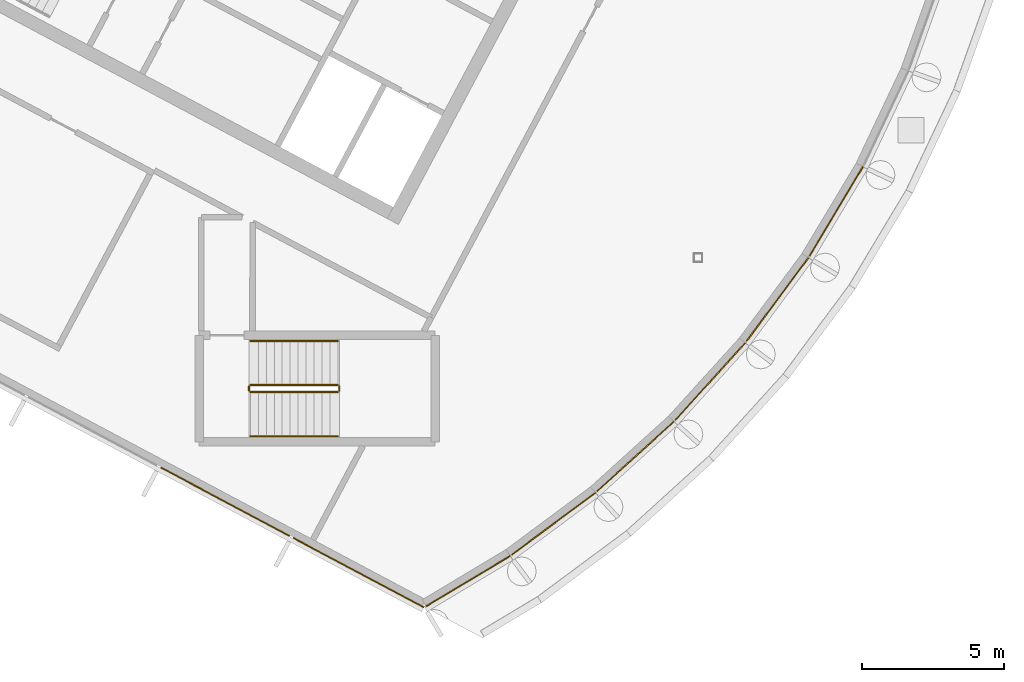
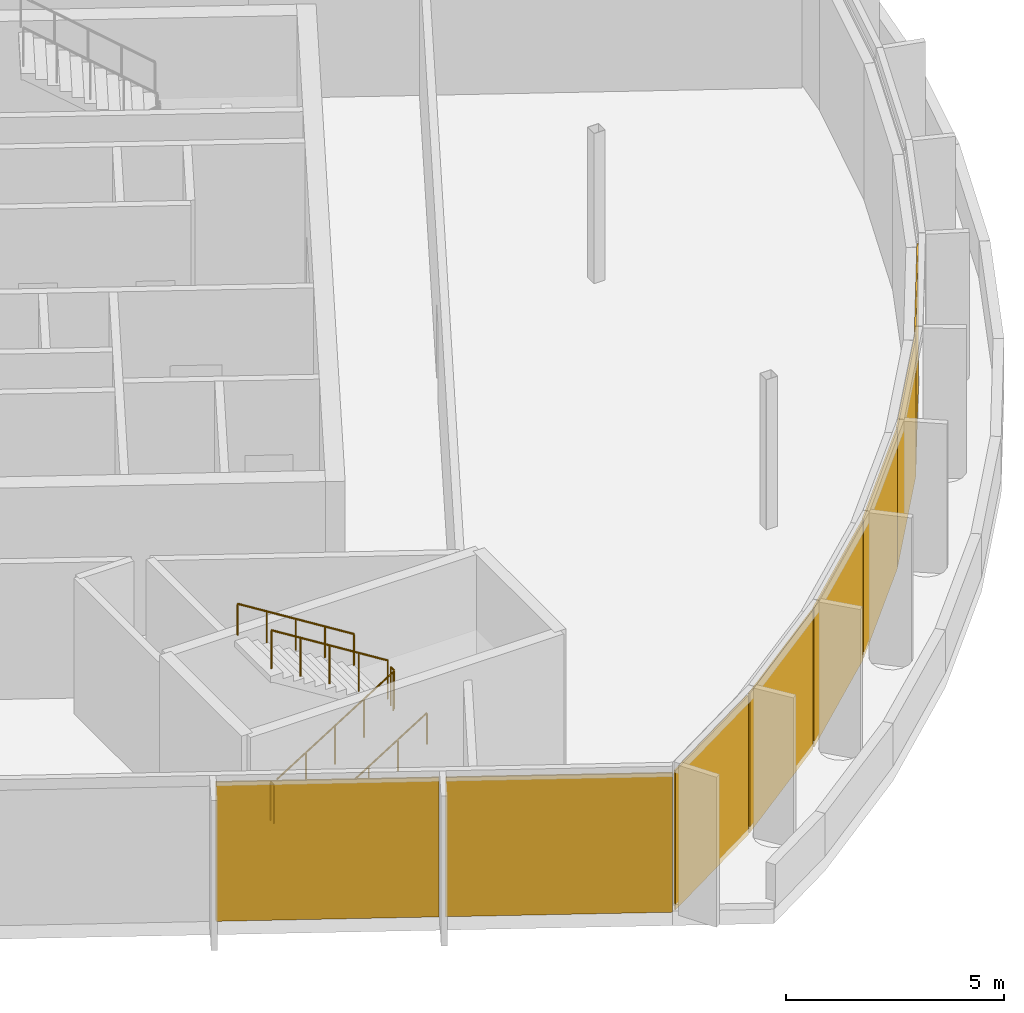
# One storey, part 12 of 16: 8 coverings, 6 railings, 7 elements without a shape of their own.
"""IFC4 building model written with IfcOpenShell, lengths in metres."""

from ifc_helpers import new_model, si_unit, direction, frame, origin, origin_2d, place, context, subcontext, project, spatial, polyline, rectangle, outline, extrude, material, layer, layer_set, type_object, element, aggregate, save


model = new_model("IFC4")

# Units and contexts
model_context = context("Model", 3, precision=1e-05, world=origin(), true_north=direction((0.0, 1.0)))
body_context = subcontext(model_context, "Body", "Model", "MODEL_VIEW")
ifc_project = project(units=[si_unit("LENGTHUNIT", "METRE"), si_unit("AREAUNIT", "SQUARE_METRE"), si_unit("VOLUMEUNIT", "CUBIC_METRE"), si_unit("PLANEANGLEUNIT", "RADIAN"), si_unit("MASSUNIT", "GRAM", prefix="KILO")], contexts=[model_context])

# Site, building, storey
site_placement = place(None, origin())
site = spatial("IfcSite", under=ifc_project, at=site_placement, CompositionType="ELEMENT")
building_placement = place(site_placement, origin())
building = spatial("IfcBuilding", under=site, at=building_placement, Name="Cormorant Relay Tower", CompositionType="ELEMENT")
storey_placement = place(building_placement, frame((0.0, 0.0, 345.0)))
storey = spatial("IfcBuildingStorey", under=building, at=storey_placement, Name="C5", CompositionType="ELEMENT", Elevation=345.0)

# Curtain wall, coverings
ifc_material_1 = material(Name="Aluminium 6063-T6 anodised bronze", Category="aluminium")
ifc_layer_1 = layer(ifc_material_1, 0.199951171875)
ifc_layer_set_1 = layer_set([ifc_layer_1], Name="CW3 crown screen wall")
curtain_wall_type = type_object("IfcCurtainWallType", Name="CW3 crown screen wall", PredefinedType="NOTDEFINED", material=ifc_layer_set_1)
curtain_wall_1_placement = place(storey_placement, origin())
curtain_wall_1 = element("IfcCurtainWall", 1, at=curtain_wall_1_placement, inside=storey, type_object=curtain_wall_type, Name="CW3 curtain wall 1", PredefinedType="NOTDEFINED")
ifc_material_2 = material(Name="Perforated bronze anodised aluminium screen", Category="aluminium")
ifc_layer_2 = layer(ifc_material_2, 0.0400390625)
ifc_layer_set_2 = layer_set([ifc_layer_2], Name="CW3 perforated bronze screen panel 40")
covering_type = type_object("IfcCoveringType", Name="CW3 perforated bronze screen panel 40", PredefinedType="CLADDING", material=ifc_layer_set_2)
covering_1_placement = place(storey_placement, frame((-28.636474609375, -8.580322265625, 0.0), z_axis=(0.0, 0.0, 1.0), x_axis=(0.882947592859, -0.469471562786, 0.0)))
covering_1 = element("IfcCovering", 2, at=covering_1_placement, type_object=covering_type, Name="CW3 panel X04", PredefinedType="CLADDING", context=body_context, shape_type="SweptSolid", body=[
    extrude(rectangle(XDim=5.12646484375, YDim=0.0400390625, at=origin_2d()), origin(), (0.0, 0.0, 1.0), 3.89990234375),
])
covering_2_placement = place(storey_placement, frame((-23.944580078125, -11.0751953125, 0.0), z_axis=(0.0, 0.0, 1.0), x_axis=(0.882947592859, -0.469471562786, 0.0)))
covering_2 = element("IfcCovering", 3, at=covering_2_placement, type_object=covering_type, Name="CW3 panel X05", PredefinedType="CLADDING", context=body_context, shape_type="SweptSolid", body=[
    extrude(rectangle(XDim=5.201416015625, YDim=0.0400390625, at=origin_2d()), origin(), (0.0, 0.0, 1.0), 3.89990234375),
])
aggregate(curtain_wall_1, [covering_1, covering_2])

# Curtain wall, covering
curtain_wall_2_placement = place(storey_placement, origin())
curtain_wall_2 = element("IfcCurtainWall", 4, at=curtain_wall_2_placement, inside=storey, type_object=curtain_wall_type, Name="CW3 curtain wall 2", PredefinedType="NOTDEFINED")
covering_3_placement = place(storey_placement, frame((-20.08740234375, -11.371826171875, 0.0), z_axis=(0.0, 0.0, 1.0), x_axis=(0.85772861, 0.514102744193, 0.0)))
covering_3 = element("IfcCovering", 5, at=covering_3_placement, type_object=covering_type, Name="CW3 panel X00", PredefinedType="CLADDING", context=body_context, shape_type="SweptSolid", body=[
    extrude(rectangle(XDim=3.443359375, YDim=0.0400390625, at=origin_2d()), origin(), (0.0, 0.0, 1.0), 3.89990234375),
])
aggregate(curtain_wall_2, [covering_3])

curtain_wall_3_placement = place(storey_placement, origin())
curtain_wall_3 = element("IfcCurtainWall", 6, at=curtain_wall_3_placement, inside=storey, type_object=curtain_wall_type, Name="CW3 curtain wall 3", PredefinedType="NOTDEFINED")
covering_4_placement = place(storey_placement, frame((-17.081298828125, -9.3525390625, 0.0), z_axis=(0.0, 0.0, 1.0), x_axis=(0.803207531481, 0.595699304492, 0.0)))
covering_4 = element("IfcCovering", 7, at=covering_4_placement, type_object=covering_type, Name="CW3 panel X00", PredefinedType="CLADDING", context=body_context, shape_type="SweptSolid", body=[
    extrude(rectangle(XDim=3.654052734375, YDim=0.0400390625, at=origin_2d()), origin(), (0.0, 0.0, 1.0), 3.89990234375),
])
aggregate(curtain_wall_3, [covering_4])

curtain_wall_4_placement = place(storey_placement, origin())
curtain_wall_4 = element("IfcCurtainWall", 8, at=curtain_wall_4_placement, inside=storey, type_object=curtain_wall_type, Name="CW3 curtain wall 4", PredefinedType="NOTDEFINED")
covering_5_placement = place(storey_placement, frame((-14.202880859375, -6.985595703125, 0.0), z_axis=(0.0, 0.0, 1.0), x_axis=(0.740951125355, 0.671558954847, 0.0)))
covering_5 = element("IfcCovering", 9, at=covering_5_placement, type_object=covering_type, Name="CW3 panel X00", PredefinedType="CLADDING", context=body_context, shape_type="SweptSolid", body=[
    extrude(rectangle(XDim=3.654052734375, YDim=0.0400390625, at=origin_2d()), origin(), (0.0, 0.0, 1.0), 3.89990234375),
])
aggregate(curtain_wall_4, [covering_5])

curtain_wall_5_placement = place(storey_placement, origin())
curtain_wall_5 = element("IfcCurtainWall", 10, at=curtain_wall_5_placement, inside=storey, type_object=curtain_wall_type, Name="CW3 curtain wall 5", PredefinedType="NOTDEFINED")
covering_6_placement = place(storey_placement, frame((-11.5703125, -4.347900390625, 0.0), z_axis=(0.0, 0.0, 1.0), x_axis=(0.671558954847, 0.740951125355, 0.0)))
covering_6 = element("IfcCovering", 11, at=covering_6_placement, type_object=covering_type, Name="CW3 panel X00", PredefinedType="CLADDING", context=body_context, shape_type="SweptSolid", body=[
    extrude(rectangle(XDim=3.654052734375, YDim=0.0400390625, at=origin_2d()), origin(), (0.0, 0.0, 1.0), 3.89990234375),
])
aggregate(curtain_wall_5, [covering_6])

curtain_wall_6_placement = place(storey_placement, origin())
curtain_wall_6 = element("IfcCurtainWall", 12, at=curtain_wall_6_placement, inside=storey, type_object=curtain_wall_type, Name="CW3 curtain wall 6", PredefinedType="NOTDEFINED")
covering_7_placement = place(storey_placement, frame((-9.208984375, -1.46484375, 0.0), z_axis=(0.0, 0.0, 1.0), x_axis=(0.595699304492, 0.803207531481, 0.0)))
covering_7 = element("IfcCovering", 13, at=covering_7_placement, type_object=covering_type, Name="CW3 panel X00", PredefinedType="CLADDING", context=body_context, shape_type="SweptSolid", body=[
    extrude(rectangle(XDim=3.654052734375, YDim=0.0400390625, at=origin_2d()), origin(), (0.0, 0.0, 1.0), 3.89990234375),
])
aggregate(curtain_wall_6, [covering_7])

curtain_wall_7_placement = place(storey_placement, origin())
curtain_wall_7 = element("IfcCurtainWall", 14, at=curtain_wall_7_placement, inside=storey, type_object=curtain_wall_type, Name="CW3 curtain wall 7", PredefinedType="NOTDEFINED")
covering_8_placement = place(storey_placement, frame((-7.141845703125, 1.6357421875, 0.0), z_axis=(0.0, 0.0, 1.0), x_axis=(0.514102744193, 0.85772861, 0.0)))
covering_8 = element("IfcCovering", 15, at=covering_8_placement, type_object=covering_type, Name="CW3 panel X00", PredefinedType="CLADDING", context=body_context, shape_type="SweptSolid", body=[
    extrude(rectangle(XDim=3.654052734375, YDim=0.0400390625, at=origin_2d()), origin(), (0.0, 0.0, 1.0), 3.89990234375),
])
aggregate(curtain_wall_7, [covering_8])

# Railings
ifc_material_3 = material(Name="Steel ASTM A572 Grade 50 (Fy 345 MPa)", Category="steel")
railing_type_1 = type_object("IfcRailingType", Name="Stair guard 1100", PredefinedType="GUARDRAIL", material=ifc_material_3)
railing_1_placement = place(storey_placement, frame((-27.75, -4.72509765625, 0.175048828125)))
element("IfcRailing", 16, at=railing_1_placement, inside=storey, type_object=railing_type_1, Name="C5 RC1 stair guard 1", PredefinedType="GUARDRAIL", context=body_context, shape_type="SweptSolid", body=[
    extrude(outline(polyline([(0.022216796875, 0.00927734375), (0.00927734375, 0.022216796875), (-0.00927734375, 0.022216796875), (-0.022216796875, 0.00927734375), (-0.022216796875, -0.00927734375), (-0.00927734375, -0.022216796875), (0.00927734375, -0.022216796875), (0.022216796875, -0.00927734375), (0.022216796875, 0.00927734375)])), frame((0.0, 0.0, 1.076171875), z_axis=(0.847998304005, 0.0, 0.529998940003), x_axis=(0.0, 1.0, 0.0)), (0.0, 0.0, 1.0), 3.632080078125),
    extrude(outline(polyline([(0.019287109375, 0.008056640625), (0.008056640625, 0.019287109375), (-0.008056640625, 0.019287109375), (-0.019287109375, 0.008056640625), (-0.019287109375, -0.008056640625), (-0.008056640625, -0.019287109375), (0.008056640625, -0.019287109375), (0.019287109375, -0.008056640625), (0.019287109375, 0.008056640625)])), origin(), (0.0, 0.0, 1.0), 1.052001953125),
    extrude(outline(polyline([(0.019287109375, 0.008056640625), (0.008056640625, 0.019287109375), (-0.008056640625, 0.019287109375), (-0.019287109375, 0.008056640625), (-0.019287109375, -0.008056640625), (-0.008056640625, -0.019287109375), (0.008056640625, -0.019287109375), (0.019287109375, -0.008056640625), (0.019287109375, 0.008056640625)])), frame((0.77001953125, 0.0, 0.481201171875)), (0.0, 0.0, 1.0), 1.052001953125),
    extrude(outline(polyline([(0.019287109375, 0.008056640625), (0.008056640625, 0.019287109375), (-0.008056640625, 0.019287109375), (-0.019287109375, 0.008056640625), (-0.019287109375, -0.008056640625), (-0.008056640625, -0.019287109375), (0.008056640625, -0.019287109375), (0.019287109375, -0.008056640625), (0.019287109375, 0.008056640625)])), frame((1.5400390625, 0.0, 0.96240234375)), (0.0, 0.0, 1.0), 1.052001953125),
    extrude(outline(polyline([(0.019287109375, 0.008056640625), (0.008056640625, 0.019287109375), (-0.008056640625, 0.019287109375), (-0.019287109375, 0.008056640625), (-0.019287109375, -0.008056640625), (-0.008056640625, -0.019287109375), (0.008056640625, -0.019287109375), (0.019287109375, -0.008056640625), (0.019287109375, 0.008056640625)])), frame((2.31005859375, 0.0, 1.44384765625)), (0.0, 0.0, 1.0), 1.052001953125),
    extrude(outline(polyline([(0.019287109375, 0.008056640625), (0.008056640625, 0.019287109375), (-0.008056640625, 0.019287109375), (-0.019287109375, 0.008056640625), (-0.019287109375, -0.008056640625), (-0.008056640625, -0.019287109375), (0.008056640625, -0.019287109375), (0.019287109375, -0.008056640625), (0.019287109375, 0.008056640625)])), frame((3.080078125, 0.0, 1.925048828125)), (0.0, 0.0, 1.0), 1.052001953125),
])
railing_2_placement = place(storey_placement, frame((-24.6201171875, -4.675048828125, 2.10009765625)))
element("IfcRailing", 17, at=railing_2_placement, inside=storey, type_object=railing_type_1, Name="C5 RC1 stair guard 2", PredefinedType="GUARDRAIL", context=body_context, shape_type="SweptSolid", body=[
    extrude(outline(polyline([(0.022216796875, 0.00927734375), (0.00927734375, 0.022216796875), (-0.00927734375, 0.022216796875), (-0.022216796875, 0.00927734375), (-0.022216796875, -0.00927734375), (-0.00927734375, -0.022216796875), (0.00927734375, -0.022216796875), (0.022216796875, -0.00927734375), (0.022216796875, 0.00927734375)])), frame((0.0, 0.0, 1.076171875), z_axis=(0.0, 1.0, 0.0), x_axis=(-1.0, 0.0, 0.0)), (0.0, 0.0, 1.0), 0.150146484375),
    extrude(outline(polyline([(0.019287109375, 0.008056640625), (0.008056640625, 0.019287109375), (-0.008056640625, 0.019287109375), (-0.019287109375, 0.008056640625), (-0.019287109375, -0.008056640625), (-0.008056640625, -0.019287109375), (0.008056640625, -0.019287109375), (0.019287109375, -0.008056640625), (0.019287109375, 0.008056640625)])), origin(), (0.0, 0.0, 1.0), 1.052001953125),
    extrude(outline(polyline([(0.019287109375, 0.008056640625), (0.008056640625, 0.019287109375), (-0.008056640625, 0.019287109375), (-0.019287109375, 0.008056640625), (-0.019287109375, -0.008056640625), (-0.008056640625, -0.019287109375), (0.008056640625, -0.019287109375), (0.019287109375, -0.008056640625), (0.019287109375, 0.008056640625)])), frame((0.0, 0.150146484375, 0.0)), (0.0, 0.0, 1.0), 1.052001953125),
])
railing_3_placement = place(storey_placement, frame((-24.669921875, -4.47509765625, 2.27490234375)))
element("IfcRailing", 18, at=railing_3_placement, inside=storey, type_object=railing_type_1, Name="C5 RC1 stair guard 3", PredefinedType="GUARDRAIL", context=body_context, shape_type="SweptSolid", body=[
    extrude(outline(polyline([(0.022216796875, 0.00927734375), (0.00927734375, 0.022216796875), (-0.00927734375, 0.022216796875), (-0.022216796875, 0.00927734375), (-0.022216796875, -0.00927734375), (-0.00927734375, -0.022216796875), (0.00927734375, -0.022216796875), (0.022216796875, -0.00927734375), (0.022216796875, 0.00927734375)])), frame((0.0, 0.0, 1.076171875), z_axis=(-0.847998304005, 0.0, 0.529998940003), x_axis=(0.0, -1.0, 0.0)), (0.0, 0.0, 1.0), 3.632080078125),
    extrude(outline(polyline([(0.019287109375, 0.008056640625), (0.008056640625, 0.019287109375), (-0.008056640625, 0.019287109375), (-0.019287109375, 0.008056640625), (-0.019287109375, -0.008056640625), (-0.008056640625, -0.019287109375), (0.008056640625, -0.019287109375), (0.019287109375, -0.008056640625), (0.019287109375, 0.008056640625)])), origin(), (0.0, 0.0, 1.0), 1.052001953125),
    extrude(outline(polyline([(0.019287109375, 0.008056640625), (0.008056640625, 0.019287109375), (-0.008056640625, 0.019287109375), (-0.019287109375, 0.008056640625), (-0.019287109375, -0.008056640625), (-0.008056640625, -0.019287109375), (0.008056640625, -0.019287109375), (0.019287109375, -0.008056640625), (0.019287109375, 0.008056640625)])), frame((-0.77001953125, 0.0, 0.481201171875)), (0.0, 0.0, 1.0), 1.052001953125),
    extrude(outline(polyline([(0.019287109375, 0.008056640625), (0.008056640625, 0.019287109375), (-0.008056640625, 0.019287109375), (-0.019287109375, 0.008056640625), (-0.019287109375, -0.008056640625), (-0.008056640625, -0.019287109375), (0.008056640625, -0.019287109375), (0.019287109375, -0.008056640625), (0.019287109375, 0.008056640625)])), frame((-1.5400390625, 0.0, 0.96240234375)), (0.0, 0.0, 1.0), 1.052001953125),
    extrude(outline(polyline([(0.019287109375, 0.008056640625), (0.008056640625, 0.019287109375), (-0.008056640625, 0.019287109375), (-0.019287109375, 0.008056640625), (-0.019287109375, -0.008056640625), (-0.008056640625, -0.019287109375), (0.008056640625, -0.019287109375), (0.019287109375, -0.008056640625), (0.019287109375, 0.008056640625)])), frame((-2.31005859375, 0.0, 1.44384765625)), (0.0, 0.0, 1.0), 1.052001953125),
    extrude(outline(polyline([(0.019287109375, 0.008056640625), (0.008056640625, 0.019287109375), (-0.008056640625, 0.019287109375), (-0.019287109375, 0.008056640625), (-0.019287109375, -0.008056640625), (-0.008056640625, -0.019287109375), (0.008056640625, -0.019287109375), (0.019287109375, -0.008056640625), (0.019287109375, 0.008056640625)])), frame((-3.080078125, 0.0, 1.925048828125)), (0.0, 0.0, 1.0), 1.052001953125),
])
railing_4_placement = place(storey_placement, frame((-27.800048828125, -4.675048828125, 0.0)))
element("IfcRailing", 19, at=railing_4_placement, inside=storey, type_object=railing_type_1, Name="C5 RC1 stair guard 4", PredefinedType="GUARDRAIL", context=body_context, shape_type="SweptSolid", body=[
    extrude(outline(polyline([(0.022216796875, 0.00927734375), (0.00927734375, 0.022216796875), (-0.00927734375, 0.022216796875), (-0.022216796875, 0.00927734375), (-0.022216796875, -0.00927734375), (-0.00927734375, -0.022216796875), (0.00927734375, -0.022216796875), (0.022216796875, -0.00927734375), (0.022216796875, 0.00927734375)])), frame((0.0, 0.0, 1.076171875), z_axis=(0.0, 1.0, 0.0), x_axis=(-1.0, 0.0, 0.0)), (0.0, 0.0, 1.0), 0.150146484375),
    extrude(outline(polyline([(0.019287109375, 0.008056640625), (0.008056640625, 0.019287109375), (-0.008056640625, 0.019287109375), (-0.019287109375, 0.008056640625), (-0.019287109375, -0.008056640625), (-0.008056640625, -0.019287109375), (0.008056640625, -0.019287109375), (0.019287109375, -0.008056640625), (0.019287109375, 0.008056640625)])), origin(), (0.0, 0.0, 1.0), 1.052001953125),
    extrude(outline(polyline([(0.019287109375, 0.008056640625), (0.008056640625, 0.019287109375), (-0.008056640625, 0.019287109375), (-0.019287109375, 0.008056640625), (-0.019287109375, -0.008056640625), (-0.008056640625, -0.019287109375), (0.008056640625, -0.019287109375), (0.019287109375, -0.008056640625), (0.019287109375, 0.008056640625)])), frame((0.0, 0.150146484375, 0.0)), (0.0, 0.0, 1.0), 1.052001953125),
])
ifc_material_4 = material(Name="Steel ASTM A572 Grade 50 (Fy 345 MPa)", Category="steel")
railing_type_2 = type_object("IfcRailingType", Name="Stair handrail 900", PredefinedType="HANDRAIL", material=ifc_material_4)
railing_5_placement = place(storey_placement, frame((-27.75, -6.27490234375, 0.175048828125)))
element("IfcRailing", 20, at=railing_5_placement, inside=storey, type_object=railing_type_2, Name="C5 RC1 stair handrail 1", PredefinedType="HANDRAIL", context=body_context, shape_type="SweptSolid", body=[
    extrude(outline(polyline([(0.022216796875, 0.00927734375), (0.00927734375, 0.022216796875), (-0.00927734375, 0.022216796875), (-0.022216796875, 0.00927734375), (-0.022216796875, -0.00927734375), (-0.00927734375, -0.022216796875), (0.00927734375, -0.022216796875), (0.022216796875, -0.00927734375), (0.022216796875, 0.00927734375)])), frame((0.0, 0.0, 0.8759765625), z_axis=(0.847998304005, 0.0, 0.529998940003), x_axis=(0.0, 1.0, 0.0)), (0.0, 0.0, 1.0), 3.632080078125),
    extrude(outline(polyline([(0.019287109375, 0.008056640625), (0.008056640625, 0.019287109375), (-0.008056640625, 0.019287109375), (-0.019287109375, 0.008056640625), (-0.019287109375, -0.008056640625), (-0.008056640625, -0.019287109375), (0.008056640625, -0.019287109375), (0.019287109375, -0.008056640625), (0.019287109375, 0.008056640625)])), origin(), (0.0, 0.0, 1.0), 0.851806640625),
    extrude(outline(polyline([(0.019287109375, 0.008056640625), (0.008056640625, 0.019287109375), (-0.008056640625, 0.019287109375), (-0.019287109375, 0.008056640625), (-0.019287109375, -0.008056640625), (-0.008056640625, -0.019287109375), (0.008056640625, -0.019287109375), (0.019287109375, -0.008056640625), (0.019287109375, 0.008056640625)])), frame((0.77001953125, 0.0, 0.481201171875)), (0.0, 0.0, 1.0), 0.851806640625),
    extrude(outline(polyline([(0.019287109375, 0.008056640625), (0.008056640625, 0.019287109375), (-0.008056640625, 0.019287109375), (-0.019287109375, 0.008056640625), (-0.019287109375, -0.008056640625), (-0.008056640625, -0.019287109375), (0.008056640625, -0.019287109375), (0.019287109375, -0.008056640625), (0.019287109375, 0.008056640625)])), frame((1.5400390625, 0.0, 0.96240234375)), (0.0, 0.0, 1.0), 0.851806640625),
    extrude(outline(polyline([(0.019287109375, 0.008056640625), (0.008056640625, 0.019287109375), (-0.008056640625, 0.019287109375), (-0.019287109375, 0.008056640625), (-0.019287109375, -0.008056640625), (-0.008056640625, -0.019287109375), (0.008056640625, -0.019287109375), (0.019287109375, -0.008056640625), (0.019287109375, 0.008056640625)])), frame((2.31005859375, 0.0, 1.44384765625)), (0.0, 0.0, 1.0), 0.851806640625),
    extrude(outline(polyline([(0.019287109375, 0.008056640625), (0.008056640625, 0.019287109375), (-0.008056640625, 0.019287109375), (-0.019287109375, 0.008056640625), (-0.019287109375, -0.008056640625), (-0.008056640625, -0.019287109375), (0.008056640625, -0.019287109375), (0.019287109375, -0.008056640625), (0.019287109375, 0.008056640625)])), frame((3.080078125, 0.0, 1.925048828125)), (0.0, 0.0, 1.0), 0.851806640625),
])
railing_6_placement = place(storey_placement, frame((-24.669921875, -2.925048828125, 2.27490234375)))
element("IfcRailing", 21, at=railing_6_placement, inside=storey, type_object=railing_type_2, Name="C5 RC1 stair handrail 2", PredefinedType="HANDRAIL", context=body_context, shape_type="SweptSolid", body=[
    extrude(outline(polyline([(0.022216796875, 0.00927734375), (0.00927734375, 0.022216796875), (-0.00927734375, 0.022216796875), (-0.022216796875, 0.00927734375), (-0.022216796875, -0.00927734375), (-0.00927734375, -0.022216796875), (0.00927734375, -0.022216796875), (0.022216796875, -0.00927734375), (0.022216796875, 0.00927734375)])), frame((0.0, 0.0, 0.8759765625), z_axis=(-0.847998304005, 0.0, 0.529998940003), x_axis=(0.0, -1.0, 0.0)), (0.0, 0.0, 1.0), 3.632080078125),
    extrude(outline(polyline([(0.019287109375, 0.008056640625), (0.008056640625, 0.019287109375), (-0.008056640625, 0.019287109375), (-0.019287109375, 0.008056640625), (-0.019287109375, -0.008056640625), (-0.008056640625, -0.019287109375), (0.008056640625, -0.019287109375), (0.019287109375, -0.008056640625), (0.019287109375, 0.008056640625)])), origin(), (0.0, 0.0, 1.0), 0.851806640625),
    extrude(outline(polyline([(0.019287109375, 0.008056640625), (0.008056640625, 0.019287109375), (-0.008056640625, 0.019287109375), (-0.019287109375, 0.008056640625), (-0.019287109375, -0.008056640625), (-0.008056640625, -0.019287109375), (0.008056640625, -0.019287109375), (0.019287109375, -0.008056640625), (0.019287109375, 0.008056640625)])), frame((-0.77001953125, 0.0, 0.481201171875)), (0.0, 0.0, 1.0), 0.851806640625),
    extrude(outline(polyline([(0.019287109375, 0.008056640625), (0.008056640625, 0.019287109375), (-0.008056640625, 0.019287109375), (-0.019287109375, 0.008056640625), (-0.019287109375, -0.008056640625), (-0.008056640625, -0.019287109375), (0.008056640625, -0.019287109375), (0.019287109375, -0.008056640625), (0.019287109375, 0.008056640625)])), frame((-1.5400390625, 0.0, 0.96240234375)), (0.0, 0.0, 1.0), 0.851806640625),
    extrude(outline(polyline([(0.019287109375, 0.008056640625), (0.008056640625, 0.019287109375), (-0.008056640625, 0.019287109375), (-0.019287109375, 0.008056640625), (-0.019287109375, -0.008056640625), (-0.008056640625, -0.019287109375), (0.008056640625, -0.019287109375), (0.019287109375, -0.008056640625), (0.019287109375, 0.008056640625)])), frame((-2.31005859375, 0.0, 1.44384765625)), (0.0, 0.0, 1.0), 0.851806640625),
    extrude(outline(polyline([(0.019287109375, 0.008056640625), (0.008056640625, 0.019287109375), (-0.008056640625, 0.019287109375), (-0.019287109375, 0.008056640625), (-0.019287109375, -0.008056640625), (-0.008056640625, -0.019287109375), (0.008056640625, -0.019287109375), (0.019287109375, -0.008056640625), (0.019287109375, 0.008056640625)])), frame((-3.080078125, 0.0, 1.925048828125)), (0.0, 0.0, 1.0), 0.851806640625),
])

save(model, "model.ifc")
